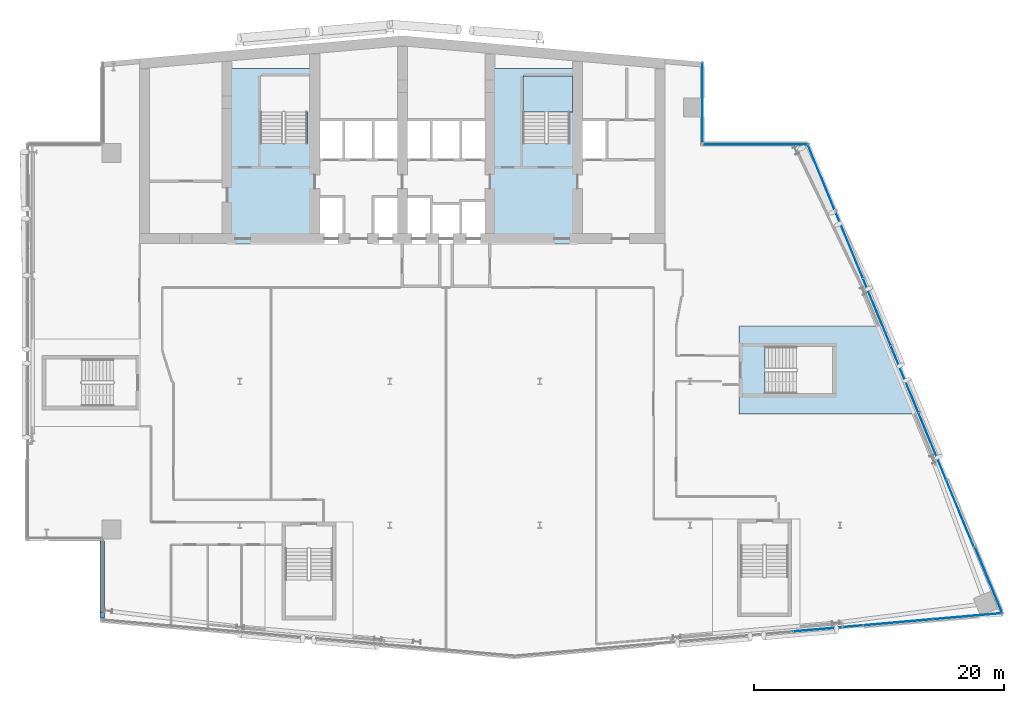
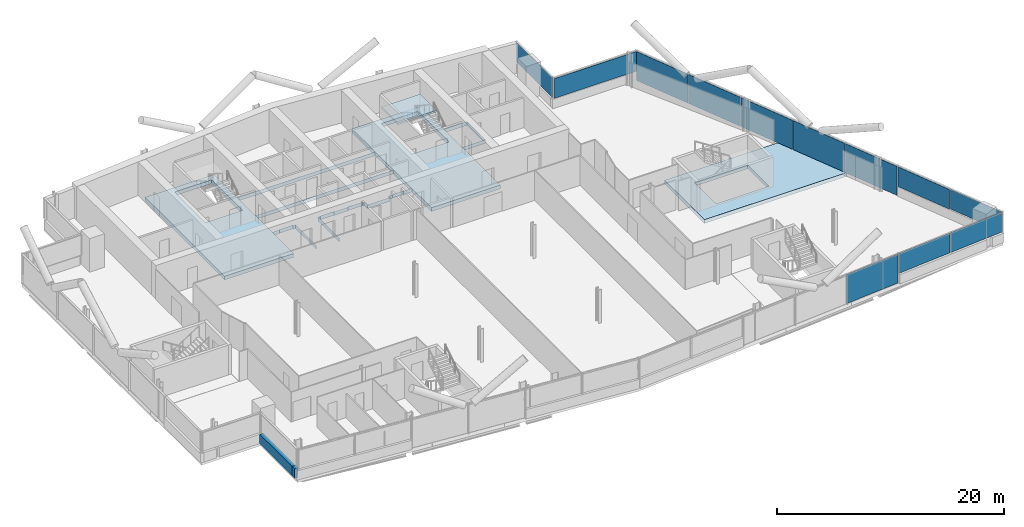
# One storey, part 13 of 26: 12 plates, 3 slabs, 2 walls, 5 elements without a shape of their own.
"""IFC4 building model written with IfcOpenShell, lengths in metres."""

from ifc_helpers import new_model, si_unit, direction, frame, frame_2d, origin, origin_2d, place, context, subcontext, project, spatial, polyline, rectangle, outline, extrude, material, layer, layer_set, type_object, element, aggregate, save


model = new_model("IFC4")

# Units and contexts
model_context = context("Model", 3, precision=1e-05, world=origin(), true_north=direction((0.0, 1.0)))
body_context = subcontext(model_context, "Body", "Model", "MODEL_VIEW")
ifc_project = project(units=[si_unit("LENGTHUNIT", "METRE"), si_unit("AREAUNIT", "SQUARE_METRE"), si_unit("VOLUMEUNIT", "CUBIC_METRE"), si_unit("PLANEANGLEUNIT", "RADIAN"), si_unit("MASSUNIT", "GRAM", prefix="KILO")], contexts=[model_context])

# Site, building, storey
site_placement = place(None, origin())
site = spatial("IfcSite", under=ifc_project, at=site_placement, CompositionType="ELEMENT")
building_placement = place(site_placement, origin())
building = spatial("IfcBuilding", under=site, at=building_placement, Name="Wharfspan Tower", CompositionType="ELEMENT")
storey_placement = place(building_placement, frame((0.0, 0.0, 180.699951)))
storey = spatial("IfcBuildingStorey", under=building, at=storey_placement, Name="L44", CompositionType="ELEMENT", Elevation=180.699951)

# Curtain wall, plates
ifc_material_1 = material(Name="Aluminium 6063-T6", Category="aluminium")
curtain_wall_type_1 = type_object("IfcCurtainWallType", Name="CURTAIN WALL FACETED FRONT", PredefinedType="NOTDEFINED", material=ifc_material_1)
curtain_wall_1_placement = place(storey_placement, origin())
curtain_wall_1 = element("IfcCurtainWall", 1, at=curtain_wall_1_placement, inside=storey, type_object=curtain_wall_type_1, Name="Curtain wall S2", PredefinedType="NOTDEFINED")
ifc_material_2 = material(Name="Glass clear low-iron double glazing", Category="glass")
ifc_layer_1 = layer(ifc_material_2, 0.040039)
ifc_layer_set_1 = layer_set([ifc_layer_1], Name="Glass clear low-iron double glazing")
plate_type_1 = type_object("IfcPlateType", Name="GLASS PANEL FACETED FRONT 40", PredefinedType="CURTAIN_PANEL", material=ifc_layer_set_1)
plate_1_placement = place(storey_placement, frame((76.637695, 3.728516, 1.0), z_axis=(0.0, 0.0, 1.0), x_axis=(0.996198, 0.087156, 0.0)))
plate_1 = element("IfcPlate", 2, at=plate_1_placement, type_object=plate_type_1, Name="Curtain wall S2 panel 6", PredefinedType="CURTAIN_PANEL", context=body_context, shape_type="SweptSolid", body=[
    extrude(rectangle(XDim=5.532715, YDim=0.040039, at=origin_2d()), origin(), (0.0, 0.0, 1.0), 2.120117),
])
plate_2_placement = place(storey_placement, frame((82.194092, 4.214844, 1.0), z_axis=(0.0, 0.0, 1.0), x_axis=(0.996198, 0.087156, 0.0)))
plate_2 = element("IfcPlate", 3, at=plate_2_placement, type_object=plate_type_1, Name="Curtain wall S2 panel 7", PredefinedType="CURTAIN_PANEL", context=body_context, shape_type="SweptSolid", body=[
    extrude(rectangle(XDim=5.502686, YDim=0.040039, at=origin_2d()), origin(), (0.0, 0.0, 1.0), 2.120117),
])

curtain_wall_type_2 = type_object("IfcCurtainWallType", Name="CURTAIN WALL PROW AND END", PredefinedType="NOTDEFINED", material=ifc_material_1)
curtain_wall_2_placement = place(storey_placement, origin())
curtain_wall_2 = element("IfcCurtainWall", 4, at=curtain_wall_2_placement, inside=storey, type_object=curtain_wall_type_2, Name="Curtain wall E", PredefinedType="NOTDEFINED")
ifc_layer_2 = layer(ifc_material_2, 0.040039)
ifc_layer_set_2 = layer_set([ifc_layer_2], Name="Glass clear low-iron double glazing")
plate_type_2 = type_object("IfcPlateType", Name="GLASS PANEL PROW AND END 40", PredefinedType="CURTAIN_PANEL", material=ifc_layer_set_2)
plate_3_placement = place(storey_placement, frame((83.885498, 7.099609, 1.0), z_axis=(0.0, 0.0, 1.0), x_axis=(-0.381602, 0.924325, 0.0)))
plate_3 = element("IfcPlate", 5, at=plate_3_placement, type_object=plate_type_2, Name="Curtain wall E panel 1", PredefinedType="CURTAIN_PANEL", context=body_context, shape_type="SweptSolid", body=[
    extrude(rectangle(XDim=5.721191, YDim=0.040039, at=origin_2d()), origin(), (0.0, 0.0, 1.0), 2.120117),
])
plate_4_placement = place(storey_placement, frame((81.599609, 12.426514, 1.0), z_axis=(0.0, 0.0, 1.0), x_axis=(-0.381602, 0.924325, 0.0)))
plate_4 = element("IfcPlate", 6, at=plate_4_placement, type_object=plate_type_2, Name="Curtain wall E panel 2", PredefinedType="CURTAIN_PANEL", context=body_context, shape_type="SweptSolid", body=[
    extrude(rectangle(XDim=5.751221, YDim=0.040039, at=origin_2d()), origin(), (0.0, 0.0, 1.0), 2.120117),
])

# Curtain wall, plate
curtain_wall_3_placement = place(storey_placement, origin())
curtain_wall_3 = element("IfcCurtainWall", 7, at=curtain_wall_3_placement, inside=storey, type_object=curtain_wall_type_2, Name="Curtain wall NRE-H", PredefinedType="NOTDEFINED")
plate_5_placement = place(storey_placement, frame((65.238525, 41.919922, 1.0), z_axis=(0.0, 0.0, 1.0), x_axis=(-1.0, 0.0, 0.0)))
plate_5 = element("IfcPlate", 8, at=plate_5_placement, type_object=plate_type_2, Name="Curtain wall NRE-H panel 1", PredefinedType="CURTAIN_PANEL", context=body_context, shape_type="SweptSolid", body=[
    extrude(rectangle(XDim=8.357178, YDim=0.040039, at=origin_2d()), origin(), (0.0, 0.0, 1.0), 2.120117),
])
aggregate(curtain_wall_3, [plate_5])

curtain_wall_4_placement = place(storey_placement, origin())
curtain_wall_4 = element("IfcCurtainWall", 9, at=curtain_wall_4_placement, inside=storey, type_object=curtain_wall_type_2, Name="Curtain wall NRE-V", PredefinedType="NOTDEFINED")
plate_6_placement = place(storey_placement, frame((61.0, 45.262451, 1.0), z_axis=(0.0, 0.0, 1.0), x_axis=(0.0, 1.0, 0.0)))
plate_6 = element("IfcPlate", 10, at=plate_6_placement, type_object=plate_type_2, Name="Curtain wall NRE-V panel 1", PredefinedType="CURTAIN_PANEL", context=body_context, shape_type="SweptSolid", body=[
    extrude(rectangle(XDim=6.405029, YDim=0.040039, at=origin_2d()), origin(), (0.0, 0.0, 1.0), 2.120117),
])
aggregate(curtain_wall_4, [plate_6])

# Plate
ifc_material_3 = material(Name="Aluminium composite opaque insulated panel", Category="aluminium")
ifc_layer_3 = layer(ifc_material_3, 0.040039)
ifc_layer_set_3 = layer_set([ifc_layer_3], Name="Aluminium composite opaque insulated panel")
plate_type_3 = type_object("IfcPlateType", Name="INFILL PANEL FACETED FRONT OPAQUE 40", PredefinedType="SHEET", material=ifc_layer_set_3)
plate_7_placement = place(storey_placement, frame((71.066162, 3.241211, 0.0), z_axis=(0.0, 0.0, 1.0), x_axis=(0.996198, 0.087156, 0.0)))
plate_7 = element("IfcPlate", 11, at=plate_7_placement, type_object=plate_type_3, Name="Curtain wall S2 panel 5", PredefinedType="SHEET", context=body_context, shape_type="SweptSolid", body=[
    extrude(rectangle(XDim=5.532715, YDim=0.040039, at=origin_2d()), origin(), (0.0, 0.0, 1.0), 3.120117),
])

aggregate(curtain_wall_1, [plate_7, plate_1, plate_2])

ifc_layer_4 = layer(ifc_material_3, 0.040039)
ifc_layer_set_4 = layer_set([ifc_layer_4], Name="Aluminium composite opaque insulated panel")
plate_type_4 = type_object("IfcPlateType", Name="INFILL PANEL PROW AND END OPAQUE 40", PredefinedType="SHEET", material=ifc_layer_set_4)
plate_8_placement = place(storey_placement, frame((79.38208, 17.798096, 0.0), z_axis=(0.0, 0.0, 1.0), x_axis=(-0.381602, 0.924325, 0.0)))
plate_8 = element("IfcPlate", 12, at=plate_8_placement, type_object=plate_type_4, Name="Curtain wall E panel 3", PredefinedType="SHEET", context=body_context, shape_type="SweptSolid", body=[
    extrude(rectangle(XDim=5.751221, YDim=0.040039, at=origin_2d()), origin(), (0.0, 0.0, 1.0), 3.120117),
])

plate_9_placement = place(storey_placement, frame((77.164551, 23.169434, 0.0), z_axis=(0.0, 0.0, 1.0), x_axis=(-0.381602, 0.924325, 0.0)))
plate_9 = element("IfcPlate", 13, at=plate_9_placement, type_object=plate_type_4, Name="Curtain wall E panel 4", PredefinedType="SHEET", context=body_context, shape_type="SweptSolid", body=[
    extrude(rectangle(XDim=5.751221, YDim=0.040039, at=origin_2d()), origin(), (0.0, 0.0, 1.0), 3.120117),
])

plate_10_placement = place(storey_placement, frame((74.947021, 28.541016, 0.0), z_axis=(0.0, 0.0, 1.0), x_axis=(-0.381602, 0.924325, 0.0)))
plate_10 = element("IfcPlate", 14, at=plate_10_placement, type_object=plate_type_4, Name="Curtain wall E panel 5", PredefinedType="SHEET", context=body_context, shape_type="SweptSolid", body=[
    extrude(rectangle(XDim=5.751221, YDim=0.040039, at=origin_2d()), origin(), (0.0, 0.0, 1.0), 3.120117),
])

plate_11_placement = place(storey_placement, frame((72.729492, 33.912354, 0.0), z_axis=(0.0, 0.0, 1.0), x_axis=(-0.381602, 0.924325, 0.0)))
plate_11 = element("IfcPlate", 15, at=plate_11_placement, type_object=plate_type_4, Name="Curtain wall E panel 6", PredefinedType="SHEET", context=body_context, shape_type="SweptSolid", body=[
    extrude(rectangle(XDim=5.751221, YDim=0.040039, at=origin_2d()), origin(), (0.0, 0.0, 1.0), 3.120117),
])

plate_12_placement = place(storey_placement, frame((70.517578, 39.269775, 0.0), z_axis=(0.0, 0.0, 1.0), x_axis=(-0.381602, 0.924325, 0.0)))
plate_12 = element("IfcPlate", 16, at=plate_12_placement, type_object=plate_type_4, Name="Curtain wall E panel 7", PredefinedType="SHEET", context=body_context, shape_type="SweptSolid", body=[
    extrude(rectangle(XDim=5.721191, YDim=0.040039, at=origin_2d()), origin(), (0.0, 0.0, 1.0), 3.120117),
])

aggregate(curtain_wall_2, [plate_3, plate_4, plate_8, plate_9, plate_10, plate_11, plate_12])

# Slabs
ifc_material_4 = material(Name="Concrete C40/50", Category="concrete")
ifc_layer_5 = layer(ifc_material_4, 0.399902)
ifc_layer_set_5 = layer_set([ifc_layer_5], Name="Concrete C40/50")
slab_type_1 = type_object("IfcSlabType", Name="Post-tensioned flat slab 400", PredefinedType="FLOOR", material=ifc_layer_set_5)
slab_1_placement = place(storey_placement, frame((0.0, 0.0, -0.400146)))
element("IfcSlab", 17, at=slab_1_placement, inside=storey, type_object=slab_type_1, Name="Core floor slab L44 part 3", PredefinedType="FLOOR", context=body_context, shape_type="SweptSolid", body=[
    extrude(outline(polyline([(23.0, 34.0), (29.998047, 34.0), (29.998047, 37.75), (29.998047, 37.750244), (29.998047, 37.750488), (29.998047, 37.750488), (29.998291, 37.750732), (29.998291, 37.750977), (29.998291, 37.751221), (29.998535, 37.751221), (29.998535, 37.751465), (29.998779, 37.751465), (29.998779, 37.751709), (29.999023, 37.751709), (29.999268, 37.751709), (29.999512, 37.751953), (29.999512, 37.751953), (29.999756, 37.751953), (30.0, 37.751953), (30.7146, 37.751953), (30.7146, 37.800049), (30.7146, 37.800293), (30.7146, 37.800293), (30.714844, 37.800537), (30.714844, 37.800781), (30.714844, 37.800781), (30.715088, 37.801025), (30.715088, 37.80127), (30.715332, 37.801514), (30.715332, 37.801514), (30.715576, 37.801758), (30.71582, 37.801758), (30.71582, 37.801758), (30.716064, 37.802002), (30.716309, 37.802002), (30.716553, 37.802002), (30.716797, 37.802002), (32.116699, 37.802002), (32.116943, 37.802002), (32.117188, 37.802002), (32.117188, 37.802002), (32.117432, 37.801758), (32.117676, 37.801758), (32.11792, 37.801758), (32.11792, 37.801514), (32.118164, 37.801514), (32.118164, 37.80127), (32.118408, 37.801025), (32.118408, 37.800781), (32.118408, 37.800781), (32.118652, 37.800537), (32.118652, 37.800293), (32.118652, 37.800293), (32.118652, 37.800049), (32.118652, 37.751953), (32.333252, 37.751953), (32.333496, 37.751953), (32.33374, 37.751953), (32.333984, 37.751953), (32.333984, 37.751709), (32.334229, 37.751709), (32.334473, 37.751709), (32.334717, 37.751465), (32.334717, 37.751465), (32.334961, 37.751221), (32.334961, 37.751221), (32.335205, 37.750977), (32.335205, 37.750732), (32.335205, 37.750488), (32.335205, 37.750488), (32.335205, 37.750244), (32.335205, 37.75), (32.335205, 34.0), (32.341309, 34.0), (32.341309, 37.758057), (32.126709, 37.758057), (32.126465, 37.758057), (32.126221, 37.758057), (32.126221, 37.758057), (32.125977, 37.758301), (32.125732, 37.758301), (32.125488, 37.758301), (32.125488, 37.758545), (32.125244, 37.758545), (32.125244, 37.758789), (32.125, 37.758789), (32.125, 37.759033), (32.125, 37.759277), (32.124756, 37.759521), (32.124756, 37.759521), (32.124756, 37.759766), (32.124756, 37.76001), (32.124756, 37.808105), (30.70874, 37.808105), (30.70874, 37.76001), (30.70874, 37.759766), (30.70874, 37.759521), (30.708496, 37.759521), (30.708496, 37.759277), (30.708496, 37.759033), (30.708496, 37.758789), (30.708252, 37.758789), (30.708008, 37.758545), (30.708008, 37.758545), (30.707764, 37.758301), (30.70752, 37.758301), (30.70752, 37.758301), (30.707275, 37.758057), (30.707031, 37.758057), (30.706787, 37.758057), (30.706787, 37.758057), (30.01001, 37.758057), (30.009766, 37.758057), (30.009521, 37.758057), (30.009521, 37.758057), (30.009277, 37.758301), (30.009033, 37.758301), (30.008789, 37.758301), (30.008789, 37.758545), (30.008545, 37.758545), (30.008545, 37.758789), (30.008301, 37.758789), (30.008301, 37.759033), (30.008301, 37.759277), (30.008057, 37.759521), (30.008057, 37.759521), (30.008057, 37.759766), (30.008057, 37.76001), (30.008057, 40.689941), (30.008057, 40.690186), (30.008057, 40.69043), (30.008057, 40.690674), (30.008301, 40.690918), (30.008301, 40.690918), (30.008301, 40.691162), (30.008545, 40.691406), (30.008545, 40.691406), (30.008789, 40.691406), (30.008789, 40.69165), (30.009033, 40.691895), (30.009277, 40.691895), (30.009521, 40.691895), (30.009521, 40.691895), (30.009766, 40.691895), (30.01001, 40.691895), (43.98999, 40.691895), (43.990234, 40.691895), (43.990479, 40.691895), (43.990479, 40.691895), (43.990723, 40.691895), (43.990967, 40.691895), (43.991211, 40.69165), (43.991211, 40.691406), (43.991455, 40.691406), (43.991455, 40.691406), (43.991699, 40.691162), (43.991699, 40.690918), (43.991699, 40.690918), (43.991943, 40.690674), (43.991943, 40.69043), (43.991943, 40.690186), (43.991943, 40.689941), (43.991943, 37.459961), (43.991943, 37.459717), (43.991943, 37.459717), (43.991943, 37.459473), (43.991699, 37.459229), (43.991699, 37.458984), (43.991699, 37.458984), (43.991455, 37.45874), (43.991455, 37.458496), (43.991211, 37.458496), (43.991211, 37.458252), (43.990967, 37.458252), (43.990723, 37.458252), (43.990479, 37.458008), (43.990479, 37.458008), (43.990234, 37.458008), (43.98999, 37.458008), (43.143311, 37.458008), (43.143066, 37.458008), (43.142822, 37.458008), (43.142578, 37.458008), (43.142578, 37.458252), (43.142334, 37.458252), (43.14209, 37.458252), (43.14209, 37.458496), (43.141846, 37.458496), (43.141846, 37.45874), (43.141602, 37.458984), (43.141602, 37.458984), (43.141602, 37.459229), (43.141357, 37.459473), (43.141357, 37.459717), (43.141357, 37.459717), (43.141357, 37.459961), (43.141357, 37.508057), (42.025391, 37.508057), (42.025391, 37.459961), (42.025391, 37.459717), (42.025391, 37.459717), (42.025146, 37.459473), (42.025146, 37.459229), (42.025146, 37.458984), (42.024902, 37.458984), (42.024902, 37.45874), (42.024658, 37.458496), (42.024658, 37.458496), (42.024414, 37.458252), (42.02417, 37.458252), (42.02417, 37.458252), (42.023926, 37.458008), (42.023682, 37.458008), (42.023438, 37.458008), (42.023193, 37.458008), (41.658691, 37.458008), (41.658691, 37.209961), (41.658691, 37.209717), (41.658691, 37.209717), (41.658691, 37.209473), (41.658447, 37.209229), (41.658447, 37.208984), (41.658447, 37.208984), (41.658203, 37.20874), (41.658203, 37.208496), (41.657959, 37.208496), (41.657715, 37.208252), (41.657715, 37.208252), (41.657471, 37.208252), (41.657227, 37.208008), (41.656982, 37.208008), (41.656982, 37.208008), (41.656738, 37.208008), (39.343262, 37.208008), (39.343018, 37.208008), (39.343018, 37.208008), (39.342773, 37.208008), (39.342529, 37.208252), (39.342285, 37.208252), (39.342285, 37.208252), (39.342041, 37.208496), (39.341797, 37.208496), (39.341797, 37.20874), (39.341553, 37.208984), (39.341553, 37.208984), (39.341553, 37.209229), (39.341309, 37.209473), (39.341309, 37.209717), (39.341309, 37.209717), (39.341309, 37.209961), (39.341309, 37.758057), (39.166748, 37.758057), (39.166504, 37.758057), (39.16626, 37.758057), (39.166016, 37.758057), (39.166016, 37.758301), (39.165771, 37.758301), (39.165527, 37.758301), (39.165283, 37.758545), (39.165283, 37.758545), (39.165283, 37.758789), (39.165039, 37.758789), (39.164795, 37.759033), (39.164795, 37.759277), (39.164795, 37.759521), (39.164795, 37.759521), (39.164795, 37.759766), (39.164795, 37.76001), (39.164795, 37.808105), (37.668701, 37.808105), (37.668701, 37.76001), (37.668701, 37.759766), (37.668701, 37.759521), (37.668701, 37.759521), (37.668457, 37.759277), (37.668457, 37.759033), (37.668457, 37.758789), (37.668213, 37.758789), (37.668213, 37.758545), (37.667969, 37.758545), (37.667725, 37.758301), (37.66748, 37.758301), (37.66748, 37.758301), (37.667236, 37.758057), (37.666992, 37.758057), (37.666992, 37.758057), (37.666748, 37.758057), (36.293213, 37.758057), (36.293213, 37.758057), (36.292969, 37.758057), (36.292725, 37.758057), (36.29248, 37.758301), (36.29248, 37.758301), (36.292236, 37.758301), (36.291992, 37.758545), (36.291992, 37.758545), (36.291748, 37.758789), (36.291504, 37.758789), (36.291504, 37.759033), (36.291504, 37.759277), (36.291504, 37.759521), (36.29126, 37.759521), (36.29126, 37.759766), (36.29126, 37.76001), (36.29126, 37.808105), (34.875244, 37.808105), (34.875244, 37.76001), (34.875244, 37.759766), (34.875244, 37.759521), (34.875244, 37.759521), (34.875, 37.759277), (34.875, 37.759033), (34.875, 37.758789), (34.874756, 37.758789), (34.874756, 37.758545), (34.874512, 37.758545), (34.874512, 37.758301), (34.874268, 37.758301), (34.874023, 37.758301), (34.873779, 37.758057), (34.873779, 37.758057), (34.873535, 37.758057), (34.873291, 37.758057), (34.658691, 37.758057), (34.658691, 34.0), (34.664795, 34.0), (34.664795, 37.75), (34.664795, 37.750244), (34.664795, 37.750488), (34.664795, 37.750488), (34.664795, 37.750732), (34.664795, 37.750977), (34.665039, 37.751221), (34.665039, 37.751221), (34.665283, 37.751465), (34.665283, 37.751465), (34.665527, 37.751709), (34.665771, 37.751709), (34.666016, 37.751709), (34.666016, 37.751953), (34.66626, 37.751953), (34.666504, 37.751953), (34.666748, 37.751953), (34.881348, 37.751953), (34.881348, 37.800049), (34.881348, 37.800293), (34.881348, 37.800293), (34.881348, 37.800537), (34.881592, 37.800781), (34.881592, 37.800781), (34.881592, 37.801025), (34.881836, 37.80127), (34.881836, 37.801514), (34.88208, 37.801514), (34.88208, 37.801758), (34.882324, 37.801758), (34.882568, 37.801758), (34.882812, 37.802002), (34.882812, 37.802002), (34.883057, 37.802002), (34.883301, 37.802002), (36.283203, 37.802002), (36.283447, 37.802002), (36.283691, 37.802002), (36.283936, 37.802002), (36.28418, 37.801758), (36.28418, 37.801758), (36.284424, 37.801758), (36.284668, 37.801514), (36.284668, 37.801514), (36.284912, 37.80127), (36.284912, 37.801025), (36.285156, 37.800781), (36.285156, 37.800781), (36.285156, 37.800537), (36.2854, 37.800293), (36.2854, 37.800293), (36.2854, 37.800049), (36.2854, 37.751953), (37.674805, 37.751953), (37.674805, 37.800049), (37.674805, 37.800293), (37.674805, 37.800293), (37.674805, 37.800537), (37.674805, 37.800781), (37.674805, 37.800781), (37.675049, 37.801025), (37.675049, 37.80127), (37.675293, 37.801514), (37.675293, 37.801514), (37.675537, 37.801758), (37.675781, 37.801758), (37.675781, 37.801758), (37.676025, 37.802002), (37.67627, 37.802002), (37.676514, 37.802002), (37.676758, 37.802002), (39.156738, 37.802002), (39.156982, 37.802002), (39.156982, 37.802002), (39.157227, 37.802002), (39.157471, 37.801758), (39.157715, 37.801758), (39.157715, 37.801758), (39.157959, 37.801514), (39.158203, 37.801514), (39.158203, 37.80127), (39.158203, 37.801025), (39.158447, 37.800781), (39.158447, 37.800781), (39.158691, 37.800537), (39.158691, 37.800293), (39.158691, 37.800293), (39.158691, 37.800049), (39.158691, 37.751953), (39.333252, 37.751953), (39.333496, 37.751953), (39.33374, 37.751953), (39.333984, 37.751953), (39.333984, 37.751709), (39.334229, 37.751709), (39.334473, 37.751709), (39.334717, 37.751465), (39.334717, 37.751465), (39.334961, 37.751221), (39.334961, 37.751221), (39.335205, 37.750977), (39.335205, 37.750732), (39.335205, 37.750488), (39.335205, 37.750488), (39.335205, 37.750244), (39.335205, 37.75), (39.335205, 37.201904), (41.664795, 37.201904), (41.664795, 37.449951), (41.664795, 37.450195), (41.664795, 37.450439), (41.664795, 37.450684), (41.664795, 37.450684), (41.664795, 37.450928), (41.665039, 37.451172), (41.665039, 37.451416), (41.665283, 37.451416), (41.665283, 37.451416), (41.665527, 37.45166), (41.665771, 37.451904), (41.666016, 37.451904), (41.666016, 37.451904), (41.66626, 37.451904), (41.666504, 37.451904), (41.666748, 37.451904), (42.03125, 37.451904), (42.03125, 37.5), (42.03125, 37.500244), (42.031494, 37.500488), (42.031494, 37.500488), (42.031494, 37.500732), (42.031494, 37.500977), (42.031738, 37.501221), (42.031738, 37.501221), (42.031982, 37.501465), (42.031982, 37.501465), (42.032227, 37.501709), (42.032471, 37.501709), (42.032715, 37.501709), (42.032715, 37.501953), (42.032959, 37.501953), (42.033203, 37.501953), (42.033203, 37.501953), (43.133301, 37.501953), (43.133545, 37.501953), (43.133789, 37.501953), (43.133789, 37.501953), (43.134033, 37.501709), (43.134277, 37.501709), (43.134521, 37.501709), (43.134521, 37.501465), (43.134766, 37.501465), (43.13501, 37.501221), (43.13501, 37.501221), (43.13501, 37.500977), (43.135254, 37.500732), (43.135254, 37.500488), (43.135254, 37.500488), (43.135254, 37.500244), (43.135254, 37.5), (43.135254, 37.451904), (44.0, 37.451904), (44.000244, 37.451904), (44.000488, 37.451904), (44.000488, 37.451904), (44.000732, 37.451904), (44.000977, 37.451904), (44.001221, 37.45166), (44.001221, 37.451416), (44.001465, 37.451416), (44.001465, 37.451416), (44.001709, 37.451172), (44.001709, 37.450928), (44.001709, 37.450684), (44.001953, 37.450684), (44.001953, 37.450439), (44.001953, 37.450195), (44.001953, 37.449951), (44.001953, 34.0), (51.0, 34.0), (51.008057, 34.0), (51.008057, 40.689941), (51.008057, 40.690186), (51.008057, 40.69043), (51.008057, 40.690674), (51.008301, 40.690918), (51.008301, 40.690918), (51.008301, 40.691162), (51.008545, 40.691406), (51.008545, 40.691406), (51.008789, 40.691406), (51.008789, 40.69165), (51.009033, 40.691895), (51.009277, 40.691895), (51.009521, 40.691895), (51.009521, 40.691895), (51.009766, 40.691895), (51.01001, 40.691895), (53.341309, 40.691895), (53.341309, 43.907959), (51.01001, 43.907959), (51.009766, 43.907959), (51.009521, 43.907959), (51.009521, 43.908203), (51.009277, 43.908203), (51.009033, 43.908203), (51.008789, 43.908203), (51.008789, 43.908447), (51.008545, 43.908691), (51.008545, 43.908691), (51.008301, 43.908936), (51.008301, 43.90918), (51.008301, 43.90918), (51.008057, 43.909424), (51.008057, 43.909668), (51.008057, 43.909912), (51.008057, 43.909912), (51.008057, 48.008057), (43.991943, 48.008057), (43.991943, 43.909912), (43.991943, 43.909912), (43.991943, 43.909668), (43.991943, 43.909424), (43.991699, 43.90918), (43.991699, 43.90918), (43.991699, 43.908936), (43.991455, 43.908691), (43.991455, 43.908691), (43.991211, 43.908447), (43.991211, 43.908203), (43.990967, 43.908203), (43.990723, 43.908203), (43.990479, 43.908203), (43.990479, 43.907959), (43.990234, 43.907959), (43.98999, 43.907959), (30.01001, 43.907959), (30.009766, 43.907959), (30.009521, 43.907959), (30.009521, 43.908203), (30.009277, 43.908203), (30.009033, 43.908203), (30.008789, 43.908203), (30.008789, 43.908447), (30.008545, 43.908691), (30.008545, 43.908691), (30.008301, 43.908936), (30.008301, 43.90918), (30.008301, 43.90918), (30.008057, 43.909424), (30.008057, 43.909668), (30.008057, 43.909912), (30.008057, 43.909912), (30.008057, 48.008057), (22.991943, 48.008057), (22.991943, 34.0), (23.0, 34.0)]), holes=[polyline([(53.333252, 43.9021), (53.333496, 43.9021), (53.33374, 43.9021), (53.333984, 43.901855), (53.333984, 43.901855), (53.334229, 43.901855), (53.334473, 43.901611), (53.334717, 43.901611), (53.334717, 43.901367), (53.334961, 43.901367), (53.334961, 43.901123), (53.335205, 43.900879), (53.335205, 43.900879), (53.335205, 43.900635), (53.335205, 43.900391), (53.335205, 43.900146), (53.335205, 43.899902), (53.335205, 40.699951), (53.335205, 40.699707), (53.335205, 40.699707), (53.335205, 40.699463), (53.335205, 40.699219), (53.335205, 40.699219), (53.334961, 40.698975), (53.334961, 40.69873), (53.334717, 40.698486), (53.334717, 40.698486), (53.334473, 40.698242), (53.334229, 40.698242), (53.333984, 40.698242), (53.333984, 40.697998), (53.33374, 40.697998), (53.333496, 40.697998), (53.333252, 40.697998), (51.0, 40.697998), (50.999756, 40.697998), (50.999512, 40.697998), (50.999512, 40.697998), (50.999268, 40.698242), (50.999023, 40.698242), (50.998779, 40.698242), (50.998779, 40.698486), (50.998535, 40.698486), (50.998535, 40.69873), (50.998291, 40.698975), (50.998291, 40.699219), (50.998291, 40.699219), (50.998047, 40.699463), (50.998047, 40.699707), (50.998047, 40.699707), (50.998047, 40.699951), (50.998047, 43.899902), (50.998047, 43.900146), (50.998047, 43.900391), (50.998047, 43.900635), (50.998291, 43.900879), (50.998291, 43.900879), (50.998291, 43.901123), (50.998535, 43.901367), (50.998535, 43.901367), (50.998779, 43.901611), (50.998779, 43.901611), (50.999023, 43.901855), (50.999268, 43.901855), (50.999512, 43.901855), (50.999512, 43.9021), (50.999756, 43.9021), (51.0, 43.9021), (53.333252, 43.9021)]), polyline([(46.649902, 41.998047), (46.649902, 41.998047), (46.649658, 41.998047), (46.649414, 41.998047), (46.64917, 41.998291), (46.64917, 41.998291), (46.648926, 41.998291), (46.648682, 41.998535), (46.648682, 41.998535), (46.648438, 41.998779), (46.648193, 41.998779), (46.648193, 41.999023), (46.648193, 41.999268), (46.648193, 41.999512), (46.647949, 41.999512), (46.647949, 41.999756), (46.647949, 42.0), (46.647949, 47.399902), (46.647949, 47.400146), (46.647949, 47.400391), (46.648193, 47.400635), (46.648193, 47.400879), (46.648193, 47.400879), (46.648193, 47.401123), (46.648438, 47.401367), (46.648682, 47.401367), (46.648682, 47.401611), (46.648926, 47.401611), (46.64917, 47.401855), (46.64917, 47.401855), (46.649414, 47.401855), (46.649658, 47.4021), (46.649902, 47.4021), (46.649902, 47.4021), (50.399902, 47.4021), (50.400146, 47.4021), (50.400391, 47.4021), (50.400635, 47.401855), (50.400879, 47.401855), (50.400879, 47.401855), (50.401123, 47.401611), (50.401367, 47.401611), (50.401367, 47.401367), (50.401611, 47.401367), (50.401611, 47.401123), (50.401855, 47.400879), (50.401855, 47.400879), (50.401855, 47.400635), (50.4021, 47.400391), (50.4021, 47.400146), (50.4021, 47.399902), (50.4021, 42.0), (50.4021, 41.999756), (50.4021, 41.999512), (50.401855, 41.999512), (50.401855, 41.999268), (50.401855, 41.999023), (50.401611, 41.998779), (50.401611, 41.998779), (50.401367, 41.998535), (50.401367, 41.998535), (50.401123, 41.998291), (50.400879, 41.998291), (50.400879, 41.998291), (50.400635, 41.998047), (50.400391, 41.998047), (50.400146, 41.998047), (50.399902, 41.998047), (46.649902, 41.998047)]), polyline([(44.0, 43.9021), (44.000244, 43.9021), (44.000488, 43.9021), (44.000488, 43.901855), (44.000732, 43.901855), (44.000977, 43.901855), (44.001221, 43.901611), (44.001221, 43.901611), (44.001465, 43.901367), (44.001465, 43.901367), (44.001709, 43.901123), (44.001709, 43.900879), (44.001709, 43.900879), (44.001953, 43.900635), (44.001953, 43.900391), (44.001953, 43.900146), (44.001953, 43.899902), (44.001953, 40.699951), (44.001953, 40.699707), (44.001953, 40.699707), (44.001953, 40.699463), (44.001709, 40.699219), (44.001709, 40.699219), (44.001709, 40.698975), (44.001465, 40.69873), (44.001465, 40.698486), (44.001221, 40.698486), (44.001221, 40.698242), (44.000977, 40.698242), (44.000732, 40.698242), (44.000488, 40.697998), (44.000488, 40.697998), (44.000244, 40.697998), (44.0, 40.697998), (30.0, 40.697998), (29.999756, 40.697998), (29.999512, 40.697998), (29.999512, 40.697998), (29.999268, 40.698242), (29.999023, 40.698242), (29.998779, 40.698242), (29.998779, 40.698486), (29.998535, 40.698486), (29.998535, 40.69873), (29.998291, 40.698975), (29.998291, 40.699219), (29.998291, 40.699219), (29.998047, 40.699463), (29.998047, 40.699707), (29.998047, 40.699707), (29.998047, 40.699951), (29.998047, 43.899902), (29.998047, 43.900146), (29.998047, 43.900391), (29.998047, 43.900635), (29.998291, 43.900879), (29.998291, 43.900879), (29.998291, 43.901123), (29.998535, 43.901367), (29.998535, 43.901367), (29.998779, 43.901611), (29.998779, 43.901611), (29.999023, 43.901855), (29.999268, 43.901855), (29.999512, 43.901855), (29.999512, 43.9021), (29.999756, 43.9021), (30.0, 43.9021), (44.0, 43.9021)]), polyline([(29.4021, 42.0), (29.4021, 41.999756), (29.4021, 41.999512), (29.401855, 41.999512), (29.401855, 41.999268), (29.401855, 41.999023), (29.401611, 41.998779), (29.401611, 41.998779), (29.401367, 41.998535), (29.401367, 41.998535), (29.401123, 41.998291), (29.400879, 41.998291), (29.400879, 41.998291), (29.400635, 41.998047), (29.400391, 41.998047), (29.400146, 41.998047), (29.399902, 41.998047), (25.649902, 41.998047), (25.649902, 41.998047), (25.649658, 41.998047), (25.649414, 41.998047), (25.64917, 41.998291), (25.64917, 41.998291), (25.648926, 41.998291), (25.648682, 41.998535), (25.648682, 41.998535), (25.648438, 41.998779), (25.648193, 41.998779), (25.648193, 41.999023), (25.648193, 41.999268), (25.648193, 41.999512), (25.647949, 41.999512), (25.647949, 41.999756), (25.647949, 42.0), (25.647949, 47.399902), (25.647949, 47.400146), (25.647949, 47.400391), (25.648193, 47.400635), (25.648193, 47.400879), (25.648193, 47.400879), (25.648193, 47.401123), (25.648438, 47.401367), (25.648682, 47.401367), (25.648682, 47.401611), (25.648926, 47.401611), (25.64917, 47.401855), (25.64917, 47.401855), (25.649414, 47.401855), (25.649658, 47.4021), (25.649902, 47.4021), (25.649902, 47.4021), (29.399902, 47.4021), (29.400146, 47.4021), (29.400391, 47.4021), (29.400635, 47.401855), (29.400879, 47.401855), (29.400879, 47.401855), (29.401123, 47.401611), (29.401367, 47.401611), (29.401367, 47.401367), (29.401611, 47.401367), (29.401611, 47.401123), (29.401855, 47.400879), (29.401855, 47.400879), (29.401855, 47.400635), (29.4021, 47.400391), (29.4021, 47.400146), (29.4021, 47.399902), (29.4021, 42.0)])]), origin(), (0.0, 0.0, 1.0), 0.400146),
])
slab_2_placement = place(storey_placement, frame((0.0, 0.0, -0.400146)))
element("IfcSlab", 18, at=slab_2_placement, inside=storey, type_object=slab_type_1, Name="Core floor slab L44 part 5", PredefinedType="FLOOR", context=body_context, shape_type="SweptSolid", body=[
    extrude(outline(polyline([(78.394531, 20.399902), (75.504639, 27.399902), (63.904541, 27.399902), (63.904541, 20.399902), (78.394531, 20.399902)]), holes=[polyline([(66.004639, 22.022949), (66.004395, 22.022949), (66.00415, 22.022949), (66.003906, 22.023193), (66.003906, 22.023193), (66.003662, 22.023193), (66.003418, 22.023193), (66.003418, 22.023438), (66.003174, 22.023682), (66.00293, 22.023682), (66.00293, 22.023926), (66.002686, 22.02417), (66.002686, 22.02417), (66.002686, 22.024414), (66.002686, 22.024658), (66.002686, 22.024902), (66.002686, 22.024902), (66.002686, 25.774902), (66.002686, 25.775146), (66.002686, 25.775391), (66.002686, 25.775635), (66.002686, 25.775879), (66.002686, 25.775879), (66.00293, 25.776123), (66.00293, 25.776367), (66.003174, 25.776367), (66.003418, 25.776611), (66.003418, 25.776611), (66.003662, 25.776855), (66.003906, 25.776855), (66.003906, 25.776855), (66.00415, 25.7771), (66.004395, 25.7771), (66.004639, 25.7771), (71.404541, 25.7771), (71.404785, 25.7771), (71.405029, 25.7771), (71.405273, 25.776855), (71.405518, 25.776855), (71.405518, 25.776855), (71.405762, 25.776611), (71.406006, 25.776611), (71.406006, 25.776367), (71.406006, 25.776367), (71.40625, 25.776123), (71.406494, 25.775879), (71.406494, 25.775879), (71.406494, 25.775635), (71.406494, 25.775391), (71.406494, 25.775146), (71.406494, 25.774902), (71.406494, 22.024902), (71.406494, 22.024902), (71.406494, 22.024658), (71.406494, 22.024414), (71.406494, 22.02417), (71.406494, 22.02417), (71.40625, 22.023926), (71.406006, 22.023682), (71.406006, 22.023682), (71.406006, 22.023438), (71.405762, 22.023193), (71.405518, 22.023193), (71.405518, 22.023193), (71.405273, 22.023193), (71.405029, 22.022949), (71.404785, 22.022949), (71.404541, 22.022949), (66.004639, 22.022949)])]), origin(), (0.0, 0.0, 1.0), 0.400146),
])

# Stair, slab
stair_type = type_object("IfcStairType", Name="Half-turn stair 20 risers 180 mm", PredefinedType="HALF_TURN_STAIR", material=ifc_material_4)
stair_placement = place(storey_placement, origin())
stair = element("IfcStair", 19, at=stair_placement, inside=storey, type_object=stair_type, Name="L44 stair ST2", PredefinedType="HALF_TURN_STAIR")
ifc_layer_6 = layer(ifc_material_4, 0.199951)
ifc_layer_set_6 = layer_set([ifc_layer_6], Name="Concrete C40/50")
slab_type_2 = type_object("IfcSlabType", Name="Stair landing 200", PredefinedType="LANDING", material=ifc_layer_set_6)
slab_3_placement = place(storey_placement, frame((0.0, 0.0, 1.599854)))
slab_3 = element("IfcSlab", 20, at=slab_3_placement, type_object=slab_type_2, Name="ST2 landing 1", PredefinedType="LANDING", context=body_context, shape_type="SweptSolid", body=[
    extrude(outline(polyline([(46.649902, 44.52002), (50.600098, 44.52002), (50.600098, 47.399902), (46.649902, 47.399902), (46.649902, 44.52002)])), origin(), (0.0, 0.0, 1.0), 0.200195),
])
aggregate(stair, [slab_3])

# Walls
ifc_layer_7 = layer(ifc_material_4, 0.350098)
ifc_layer_set_7 = layer_set([ifc_layer_7], Name="Concrete C40/50")
wall_type = type_object("IfcWallType", Name="SPANDREL EXPOSED CONCRETE 350", PredefinedType="SOLIDWALL", material=ifc_layer_set_7)
wall_1_placement = place(storey_placement, frame((12.995117, 10.219971, 0.0), z_axis=(0.0, 0.0, 1.0), x_axis=(0.0, -1.0, 0.0)))
element("IfcWall", 21, at=wall_1_placement, inside=storey, type_object=wall_type, Name="Spandrel upstand L44 NFW-V", PredefinedType="SOLIDWALL", context=body_context, shape_type="SweptSolid", body=[
    extrude(rectangle(XDim=5.693359, YDim=0.350098, at=frame_2d((2.84668, 0.0))), origin(), (0.0, 0.0, 1.0), 1.0),
])
wall_2_placement = place(storey_placement, frame((12.995117, 4.512451, 0.0), z_axis=(0.0, 0.0, 1.0), x_axis=(0.0, -1.0, 0.0)))
element("IfcWall", 22, at=wall_2_placement, inside=storey, type_object=wall_type, Name="Spandrel upstand L44 NFW-V 2", PredefinedType="SOLIDWALL", context=body_context, shape_type="SweptSolid", body=[
    extrude(rectangle(XDim=0.453613, YDim=0.350098, at=frame_2d((0.226807, 0.0))), origin(), (0.0, 0.0, 1.0), 1.0),
])

save(model, "model.ifc")
